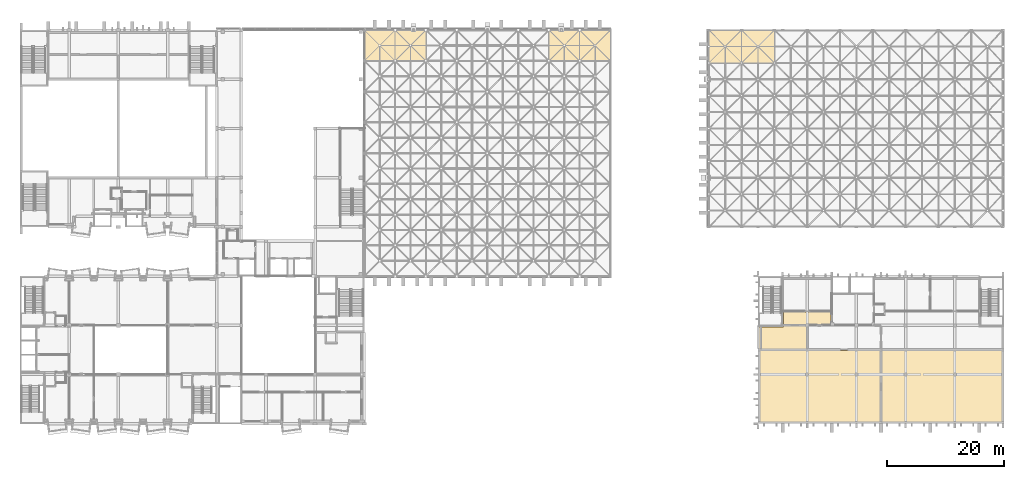
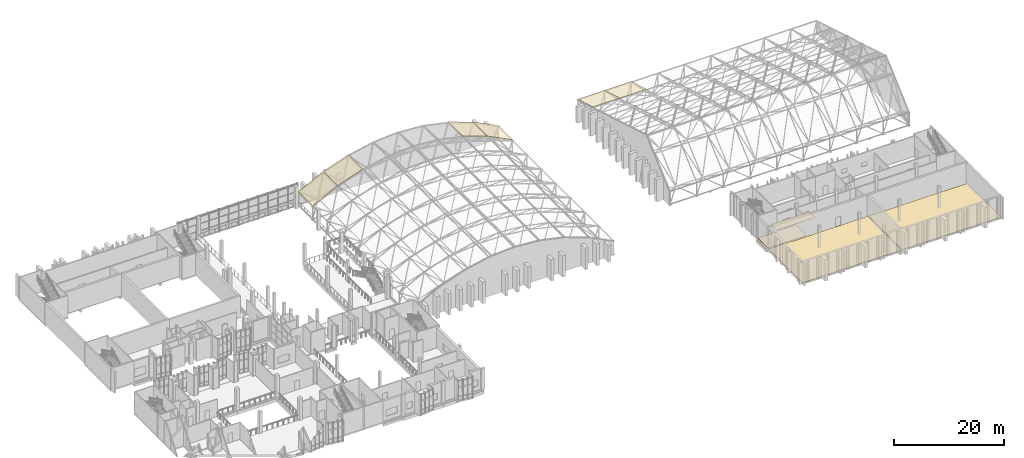
# One storey, part 97 of 100: 10 coverings.
"""IFC4 building model written with IfcOpenShell, lengths in metres."""

from ifc_helpers import new_model, si_unit, direction, frame, origin, place, context, subcontext, project, spatial, polyline, outline, extrude, material, layer, layer_set, type_object, element, save


model = new_model("IFC4")

# Units and contexts
model_context = context("Model", 3, precision=1e-05, world=origin(), true_north=direction((0.0, 1.0)))
body_context = subcontext(model_context, "Body", "Model", "MODEL_VIEW")
ifc_project = project(units=[si_unit("LENGTHUNIT", "METRE"), si_unit("AREAUNIT", "SQUARE_METRE"), si_unit("VOLUMEUNIT", "CUBIC_METRE"), si_unit("PLANEANGLEUNIT", "RADIAN"), si_unit("MASSUNIT", "GRAM", prefix="KILO")], contexts=[model_context])

# Site, building, storey
site_placement = place(None, origin())
site = spatial("IfcSite", under=ifc_project, at=site_placement, CompositionType="ELEMENT")
building_placement = place(site_placement, origin())
building = spatial("IfcBuilding", under=site, at=building_placement, Name="Kiln Court Media Centre", CompositionType="ELEMENT")
storey_placement = place(building_placement, frame((0.0, 0.0, 15.0)))
storey = spatial("IfcBuildingStorey", under=building, at=storey_placement, Name="L03", CompositionType="ELEMENT", Elevation=15.0)

# Coverings
ifc_material_1 = material(Name="Carpet tile")
ifc_layer_1 = layer(ifc_material_1, 0.014892578125)
ifc_layer_set_1 = layer_set([ifc_layer_1], Name="Carpet tile floor finish 15")
covering_type_1 = type_object("IfcCoveringType", Name="Carpet tile floor finish 15", PredefinedType="FLOORING", material=ifc_layer_set_1)
covering_1_placement = place(storey_placement, origin())
element("IfcCovering", 1, at=covering_1_placement, inside=storey, type_object=covering_type_1, Name="Recording Studio 3 floor finish", PredefinedType="FLOORING", context=body_context, shape_type="SweptSolid", body=[
    extrude(outline(polyline([(126.1201171875, 0.1201171875), (146.8798828125, 0.1201171875), (146.8798828125, 12.47998046875), (126.1201171875, 12.47998046875), (126.1201171875, 0.1201171875)])), origin(), (0.0, 0.0, 1.0), 0.014892578125),
])
covering_2_placement = place(storey_placement, origin())
element("IfcCovering", 2, at=covering_2_placement, inside=storey, type_object=covering_type_1, Name="Recording Studio 4 floor finish", PredefinedType="FLOORING", context=body_context, shape_type="SweptSolid", body=[
    extrude(outline(polyline([(147.1201171875, 0.1201171875), (167.8798828125, 0.1201171875), (167.8798828125, 12.47998046875), (147.1201171875, 12.47998046875), (147.1201171875, 0.1201171875)])), origin(), (0.0, 0.0, 1.0), 0.014892578125),
])
covering_3_placement = place(storey_placement, origin())
element("IfcCovering", 3, at=covering_3_placement, inside=storey, type_object=covering_type_1, Name="Control Room 3 floor finish", PredefinedType="FLOORING", context=body_context, shape_type="SweptSolid", body=[
    extrude(outline(polyline([(134.280029296875, 16.679931640625), (130.320068359375, 16.679931640625), (130.320068359375, 16.47998046875), (126.1201171875, 16.47998046875), (126.1201171875, 12.719970703125), (134.280029296875, 12.719970703125), (134.280029296875, 16.679931640625)])), origin(), (0.0, 0.0, 1.0), 0.014892578125),
])
ifc_material_2 = material(Name="Terrazzo")
ifc_layer_2 = layer(ifc_material_2, 0.02490234375)
ifc_layer_set_2 = layer_set([ifc_layer_2], Name="Polished terrazzo floor finish 25")
covering_type_2 = type_object("IfcCoveringType", Name="Polished terrazzo floor finish 25", PredefinedType="FLOORING", material=ifc_layer_set_2)
covering_4_placement = place(storey_placement, origin())
element("IfcCovering", 4, at=covering_4_placement, inside=storey, type_object=covering_type_2, Name="Studio Corridor floor finish", PredefinedType="FLOORING", context=body_context, shape_type="SweptSolid", body=[
    extrude(outline(polyline([(130.320068359375, 16.919921875), (138.47998046875, 16.919921875), (138.47998046875, 19.080078125), (130.320068359375, 19.080078125), (130.320068359375, 16.919921875)])), origin(), (0.0, 0.0, 1.0), 0.02490234375),
])
ifc_material_3 = material(Name="Aluminium 3004 H34", Category="aluminium")
ifc_layer_3 = layer(ifc_material_3, 0.050048828125)
ifc_layer_set_3 = layer_set([ifc_layer_3], Name="Standing-seam aluminium roof panel 50")
covering_type_3 = type_object("IfcCoveringType", Name="Standing-seam aluminium roof panel 50", PredefinedType="ROOFING", material=ifc_layer_set_3)
covering_5_placement = place(storey_placement, frame((117.60009765625, 61.60009765625, 4.833251953125), z_axis=(0.0, 0.285273244649, 0.958446230045), x_axis=(0.0, 0.958446230045, -0.285273244649)))
element("IfcCovering", 5, at=covering_5_placement, inside=storey, type_object=covering_type_3, Name="V2 roof panel 7.1", PredefinedType="ROOFING", context=body_context, shape_type="SweptSolid", body=[
    extrude(outline(polyline([(0.0, 0.0), (5.842637114199316, 0.0), (5.842637114199316, -5.599853515625001), (0.0, -5.599853515625001), (0.0, 0.0)])), origin(), (0.0, 0.0, -1.0), 0.050048828125),
])
covering_6_placement = place(storey_placement, frame((123.199951171875, 61.60009765625, 4.833251953125), z_axis=(0.0, 0.285273244649, 0.958446230045), x_axis=(0.0, 0.958446230045, -0.285273244649)))
element("IfcCovering", 6, at=covering_6_placement, inside=storey, type_object=covering_type_3, Name="V2 roof panel 7.2", PredefinedType="ROOFING", context=body_context, shape_type="SweptSolid", body=[
    extrude(outline(polyline([(0.0, 0.0), (5.842637114199316, 0.0), (5.842637114199316, -5.600097656249999), (0.0, -5.600097656249999), (0.0, 0.0)])), origin(), (0.0, 0.0, -1.0), 0.050048828125),
])
ifc_material_4 = material(Name="Aluminium 3004 H34", Category="aluminium")
ifc_layer_4 = layer(ifc_material_4, 0.06005859375)
ifc_layer_set_4 = layer_set([ifc_layer_4], Name="Standing-seam aluminium roof panel 60")
covering_type_4 = type_object("IfcCoveringType", Name="Standing-seam aluminium roof panel 60", PredefinedType="ROOFING", material=ifc_layer_set_4)
covering_7_placement = place(storey_placement, frame((58.800048828125, 61.949951171875, 3.203857421875), z_axis=(-0.4472135955, 0.0, 0.894427191), x_axis=(0.894427191, 0.0, 0.4472135955)))
element("IfcCovering", 7, at=covering_7_placement, inside=storey, type_object=covering_type_4, Name="V1 roof panel 1.8", PredefinedType="ROOFING", context=body_context, shape_type="SweptSolid", body=[
    extrude(outline(polyline([(0.0, 0.0), (5.869678440936949, 0.0), (5.869678440936949, 5.25), (0.0, 5.25), (0.0, 0.0)])), origin(), (0.0, 0.0, -1.0), 0.06005859375),
])
for number, where, z_axis, x_axis, name in (
    (8, (64.050048828125, 61.949951171875, 5.818603515625), (-0.336336396998, 0.0, 0.941741911595), (0.941741911595, 0.0, 0.336336396998), "V1 roof panel 2.8"),
    (9, (90.300048828125, 61.949951171875, 7.693603515625), (0.336336396998, 0.0, 0.941741911595), (0.941741911595, 0.0, -0.336336396998), "V1 roof panel 7.8"),
):
    element("IfcCovering", number, at=place(storey_placement, frame(where, z_axis=z_axis, x_axis=x_axis)), inside=storey, type_object=covering_type_4, Name=name, PredefinedType="ROOFING", context=body_context, shape_type="SweptSolid", body=[
        extrude(outline(polyline([(0.0, 0.0), (5.5747757802444395, 0.0), (5.5747757802444395, 5.25), (0.0, 5.25), (0.0, 0.0)])), origin(), (0.0, 0.0, -1.0), 0.06005859375),
    ])
covering_8_placement = place(storey_placement, frame((95.550048828125, 61.949951171875, 5.828857421875), z_axis=(0.4472135955, 0.0, 0.894427191), x_axis=(0.894427191, 0.0, -0.4472135955)))
element("IfcCovering", 10, at=covering_8_placement, inside=storey, type_object=covering_type_4, Name="V1 roof panel 8.8", PredefinedType="ROOFING", context=body_context, shape_type="SweptSolid", body=[
    extrude(outline(polyline([(0.0, 0.0), (5.869678440936949, 0.0), (5.869678440936949, 5.25), (0.0, 5.25), (0.0, 0.0)])), origin(), (0.0, 0.0, -1.0), 0.06005859375),
])

save(model, "model.ifc")
